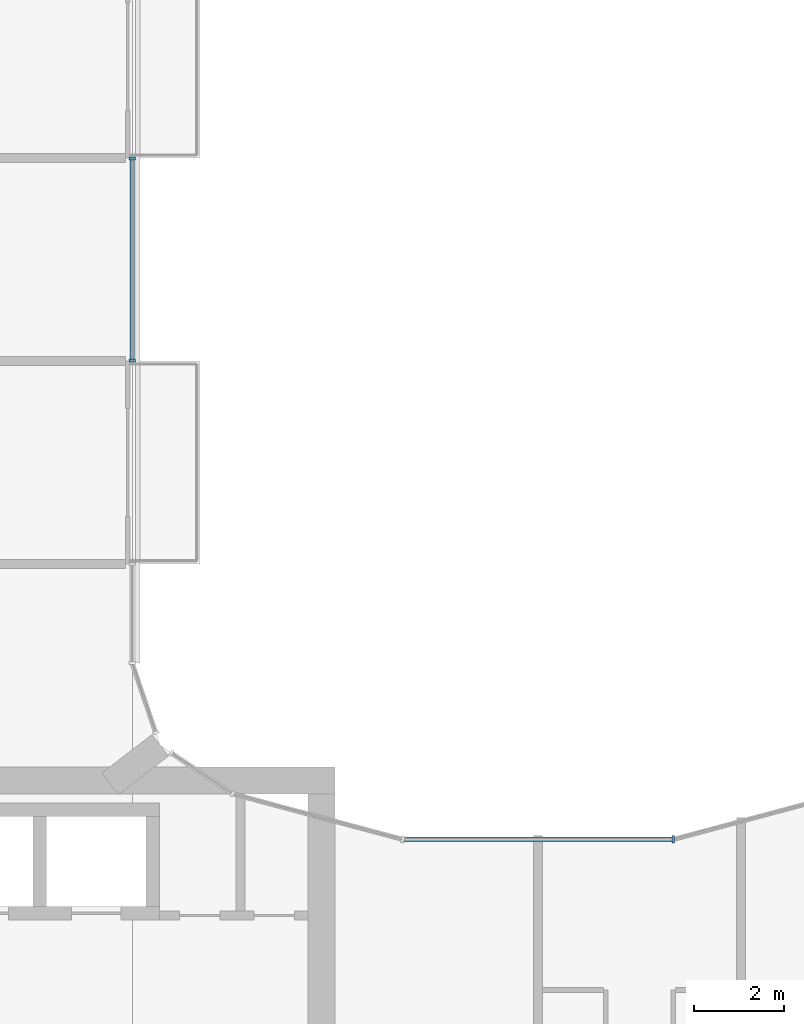
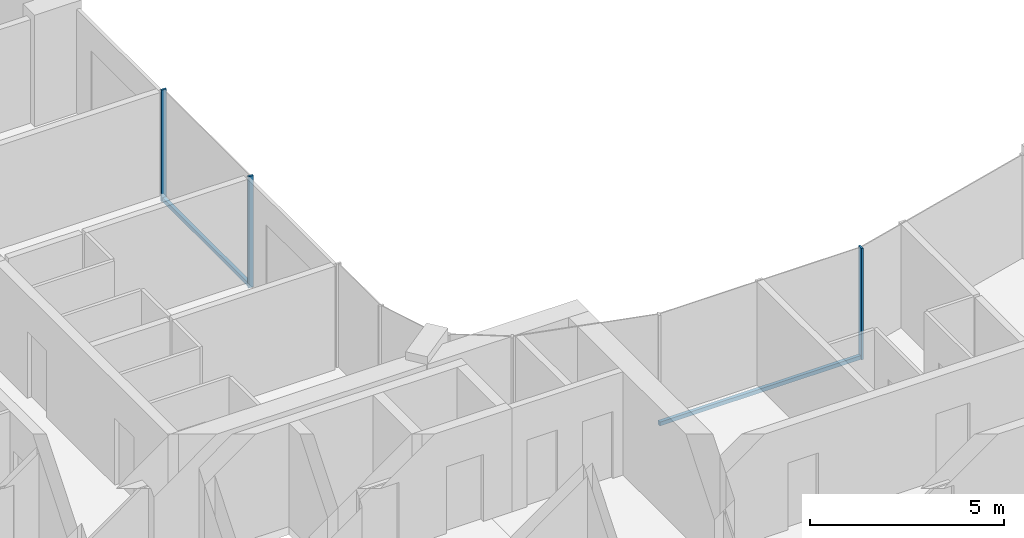
# One storey, part 5 of 15: 5 members, 2 elements without a shape of their own.
"""IFC4 building model written with IfcOpenShell, lengths in metres."""

import ifcopenshell
import ifcopenshell.guid

model = None  # the IFC model being written
_history = None  # IfcOwnerHistory: only IFC2X3 demands one
_inside = {}  # id of a spatial element -> (the spatial element, [elements in it])
_under = {}  # id of a project, library or spatial element -> (it, [spatial elements below it])
_declared = {}  # id of a project -> (the project, [libraries it declares])
_typed = {}  # id of a type object -> (the type object, [elements of that type])
_made_of = {}  # id of a material, layer set ... -> (it, [elements and type objects made of it])


def new_model(schema):
    """Start an empty IFC model of exactly this schema.

    Asked for "IFC4X3", IfcOpenShell would pick the latest addendum, in which some entities
    have other attributes; the version numbers below select the first issue.
    IFC2X3 requires an IfcOwnerHistory on every rooted entity: one is made here for all.
    """
    global model, _history
    if schema == "IFC4X3":
        model = ifcopenshell.file(schema_version=(4, 3, 0, 0))
    else:
        model = ifcopenshell.file(schema=schema)
    _inside.clear()
    _under.clear()
    _declared.clear()
    _typed.clear()
    _made_of.clear()
    _history = None
    if model.schema == "IFC2X3":
        org = make("IfcOrganization", Name="unknown")
        user = make(
            "IfcPersonAndOrganization",
            ThePerson=make("IfcPerson", FamilyName="unknown"),
            TheOrganization=org,
        )
        app = make(
            "IfcApplication",
            ApplicationDeveloper=org,
            Version="unknown",
            ApplicationFullName="unknown",
            ApplicationIdentifier="unknown",
        )
        _history = make(
            "IfcOwnerHistory",
            OwningUser=user,
            OwningApplication=app,
            ChangeAction="ADDED",
            CreationDate=0,
        )
    return model


def make(cls, **values):
    """One entity of the class cls with the attributes given. An attribute that is None is left unset."""
    return model.create_entity(
        cls, **{name: value for name, value in values.items() if value is not None}
    )


def rooted(cls, **values):
    """An entity with a GlobalId (a new one), such as an element, a storey or a relation."""
    return make(cls, GlobalId=ifcopenshell.guid.new(), OwnerHistory=_history, **values)


def si_unit(unit_type, name, prefix=None):
    """IfcSIUnit, for example si_unit("LENGTHUNIT", "METRE", prefix="MILLI")."""
    return make("IfcSIUnit", UnitType=unit_type, Prefix=prefix, Name=name)


def assignment(units):
    """IfcUnitAssignment: the units of a project."""
    return None if units is None else make("IfcUnitAssignment", Units=units)


def point(xyz):
    """IfcCartesianPoint."""
    return None if xyz is None else make("IfcCartesianPoint", Coordinates=xyz)


def direction(xyz):
    """IfcDirection."""
    return None if xyz is None else make("IfcDirection", DirectionRatios=xyz)


def frame(location, z_axis=None, x_axis=None):
    """IfcAxis2Placement3D, a coordinate frame: its origin and axes. An axis left out is left unset."""
    return make(
        "IfcAxis2Placement3D",
        Location=point(location),
        Axis=direction(z_axis),
        RefDirection=direction(x_axis),
    )


def frame_2d(location, x_axis=None):
    """IfcAxis2Placement2D, a coordinate frame in the plane: its origin and x axis."""
    return make(
        "IfcAxis2Placement2D", Location=point(location), RefDirection=direction(x_axis)
    )


def origin():
    """The frame at (0, 0, 0) with its axes left unset."""
    return frame((0.0, 0.0, 0.0))


def origin_2d():
    """The frame at (0, 0) in the plane with its x axis left unset."""
    return frame_2d((0.0, 0.0))


def place(relative_to, where):
    """IfcLocalPlacement: puts the frame where relative to a parent placement (None: the world)."""
    return make(
        "IfcLocalPlacement", PlacementRelTo=relative_to, RelativePlacement=where
    )


def context(
    kind, dimensions, precision=None, world=None, true_north=None, identifier=None
):
    """IfcGeometricRepresentationContext, for example the 3D "Model" context."""
    return make(
        "IfcGeometricRepresentationContext",
        ContextIdentifier=identifier,
        ContextType=kind,
        CoordinateSpaceDimension=dimensions,
        Precision=precision,
        WorldCoordinateSystem=world,
        TrueNorth=true_north,
    )


def subcontext(parent, identifier, kind, view, scale=None):
    """IfcGeometricRepresentationSubContext, for example "Body" below "Model"."""
    return make(
        "IfcGeometricRepresentationSubContext",
        ContextIdentifier=identifier,
        ContextType=kind,
        ParentContext=parent,
        TargetScale=scale,
        TargetView=view,
    )


def project(units=None, contexts=None):
    """IfcProject with its units and contexts."""
    return rooted(
        "IfcProject",
        Name="project",
        RepresentationContexts=contexts,
        UnitsInContext=assignment(units),
    )


def spatial(cls, under=None, at=None, **own):
    """A site, building, storey or space (cls), placed at a placement, below another one or the project."""
    s = rooted(cls, ObjectPlacement=at, **own)
    if under is not None:
        _under.setdefault(under.id(), (under, []))[1].append(s)
    return s


def profile(cls, at=None, kind="AREA", **sizes):
    """A parametric profile (cls). Its sizes go by their IFC names, for example OverallWidth=200.0."""
    return make(cls, ProfileType=kind, Position=at, **sizes)


def rectangle(**sizes):
    """IfcRectangleProfileDef."""
    return profile("IfcRectangleProfileDef", **sizes)


def extrude(swept, where, along, depth):
    """IfcExtrudedAreaSolid: the profile swept, set in the frame where, extruded along a direction by depth."""
    return make(
        "IfcExtrudedAreaSolid",
        SweptArea=swept,
        Position=where,
        ExtrudedDirection=direction(along),
        Depth=depth,
    )


def shape(context_of_items, identifier, shape_type, items):
    """IfcShapeRepresentation: the items that make up one representation, for example the "Body"."""
    return make(
        "IfcShapeRepresentation",
        ContextOfItems=context_of_items,
        RepresentationIdentifier=identifier,
        RepresentationType=shape_type,
        Items=items,
    )


def material(Name=None, Category=None):
    """IfcMaterial."""
    return make("IfcMaterial", Name=Name, Category=Category)


def layer(
    of_material, thickness, ventilated=None, Name=None, Category=None, Priority=None
):
    """IfcMaterialLayer: one layer of a wall or slab, of a material (None: an air gap)."""
    return make(
        "IfcMaterialLayer",
        Material=of_material,
        LayerThickness=thickness,
        IsVentilated=ventilated,
        Name=Name,
        Category=Category,
        Priority=Priority,
    )


def layer_set(layers, Name=None):
    """IfcMaterialLayerSet."""
    return make("IfcMaterialLayerSet", MaterialLayers=layers, LayerSetName=Name)


def material_profile(
    of_material, cross_section, Name=None, Category=None, Priority=None
):
    """IfcMaterialProfile: a cross section and its material."""
    return make(
        "IfcMaterialProfile",
        Name=Name,
        Material=of_material,
        Profile=cross_section,
        Priority=Priority,
        Category=Category,
    )


def profile_set(profiles, Name=None, composite=None):
    """IfcMaterialProfileSet."""
    return make(
        "IfcMaterialProfileSet",
        Name=Name,
        MaterialProfiles=profiles,
        CompositeProfile=composite,
    )


def made_of(thing, what):
    """Note that an element or type object is made of a material, layer set ...; save() writes the relation."""
    if what is not None:
        _made_of.setdefault(what.id(), (what, []))[1].append(thing)
    return thing


def type_object(cls, material=None, **own):
    """A type object (cls), such as IfcWallType, which elements share."""
    return made_of(rooted(cls, **own), material)


def element(
    cls,
    number,
    at=None,
    inside=None,
    cuts=None,
    type_object=None,
    material=None,
    context=None,
    identifier="Body",
    shape_type=None,
    held_by="IfcProductDefinitionShape",
    body=None,
    shapes=None,
    **own,
):
    """One element of the class cls, such as IfcWall. Its Tag is "e" and its number.

    at: its placement. inside: the storey or other place that contains it. cuts: it is an
    opening in that element (IfcRelVoidsElement). A single representation is given by context,
    identifier, shape_type and body (its items); several are given by shapes. held_by: the class
    of the entity that holds the representations. save() writes the other relations.
    """
    e = rooted(cls, Tag="e%d" % number, ObjectPlacement=at, **own)
    if body is not None:
        shapes = [shape(context, identifier, shape_type, body)]
    if shapes is not None:
        e.Representation = make(held_by, Representations=shapes)
    if inside is not None:
        _inside.setdefault(inside.id(), (inside, []))[1].append(e)
    if cuts is not None:
        rooted(
            "IfcRelVoidsElement", RelatingBuildingElement=cuts, RelatedOpeningElement=e
        )
    if type_object is not None:
        _typed.setdefault(type_object.id(), (type_object, []))[1].append(e)
    return made_of(e, material)


def aggregate(whole, parts):
    """IfcRelAggregates: a whole, such as a stair, and the parts it consists of."""
    return rooted("IfcRelAggregates", RelatingObject=whole, RelatedObjects=parts)


def save(model, path):
    """Write the relations noted so far, then the file.

    IfcRelAggregates (storeys below a building ...), IfcRelContainedInSpatialStructure (elements
    in a storey), IfcRelDefinesByType, IfcRelAssociatesMaterial and IfcRelDeclares: one each for
    every whole, place, type object, material and project.
    """
    for whole, parts in _under.values():
        aggregate(whole, parts)
    for where, things in _inside.values():
        rooted(
            "IfcRelContainedInSpatialStructure",
            RelatedElements=things,
            RelatingStructure=where,
        )
    for kind, things in _typed.values():
        rooted("IfcRelDefinesByType", RelatedObjects=things, RelatingType=kind)
    for what, things in _made_of.values():
        rooted("IfcRelAssociatesMaterial", RelatedObjects=things, RelatingMaterial=what)
    for by, libraries in _declared.values():
        rooted("IfcRelDeclares", RelatingContext=by, RelatedDefinitions=libraries)
    model.write(path)


model = new_model("IFC4")

# Units and contexts
model_context = context("Model", 3, precision=1e-05, world=origin(), true_north=direction((0.0, 1.0)))
body_context = subcontext(model_context, "Body", "Model", "MODEL_VIEW")
ifc_project = project(units=[si_unit("LENGTHUNIT", "METRE"), si_unit("AREAUNIT", "SQUARE_METRE"), si_unit("VOLUMEUNIT", "CUBIC_METRE"), si_unit("PLANEANGLEUNIT", "RADIAN"), si_unit("MASSUNIT", "GRAM", prefix="KILO")], contexts=[model_context])

# Site, building, storey
site_placement = place(None, origin())
site = spatial("IfcSite", under=ifc_project, at=site_placement, CompositionType="ELEMENT")
building_placement = place(site_placement, origin())
building = spatial("IfcBuilding", under=site, at=building_placement, Name="Plateau Cross Towers", CompositionType="ELEMENT")
storey_placement = place(building_placement, frame((0.0, 0.0, 174.39990234375)))
storey = spatial("IfcBuildingStorey", under=building, at=storey_placement, Name="L45", CompositionType="ELEMENT", Elevation=174.39990234375)

# Curtain wall, members
ifc_material_1 = material(Name="Dark low-iron glass", Category="glass")
ifc_layer_1 = layer(ifc_material_1, 0.239990234375)
ifc_layer_set_1 = layer_set([ifc_layer_1], Name="Dark low-iron glass")
curtain_wall_type_1 = type_object("IfcCurtainWallType", Name="Curtain wall flush unitised CW-B", PredefinedType="NOTDEFINED", material=ifc_layer_set_1)
curtain_wall_1_placement = place(storey_placement, origin())
curtain_wall_1 = element("IfcCurtainWall", 1, at=curtain_wall_1_placement, inside=storey, type_object=curtain_wall_type_1, Name="ENV/A/L45/A180_270", PredefinedType="NOTDEFINED")
ifc_material_2 = material(Name="Black anodised aluminium", Category="aluminium")
ifc_material_profile_1 = material_profile(ifc_material_2, rectangle(XDim=0.06005859375, YDim=0.139892578125, at=origin_2d()), Name="MULLION 60x140")
ifc_profile_set_1 = profile_set([ifc_material_profile_1], Name="Black anodised aluminium")
member_type_1 = type_object("IfcMemberType", Name="Mullion 60x140 flush unitised", PredefinedType="MULLION", material=ifc_profile_set_1)
member_1_placement = place(storey_placement, frame((18.0, 27.010009765625, -0.25), z_axis=(0.0, 0.0, 1.0), x_axis=(0.0, 1.0, 0.0)))
member_1 = element("IfcMember", 2, at=member_1_placement, type_object=member_type_1, Name="CW-B mullion 1", PredefinedType="MULLION", context=body_context, shape_type="SweptSolid", body=[
    extrude(rectangle(XDim=0.06005859375, YDim=0.139892578125, at=origin_2d()), origin(), (0.0, 0.0, 1.0), 3.5),
])
member_2_placement = place(storey_placement, frame((18.0, 31.489990234375, -0.25), z_axis=(0.0, 0.0, 1.0), x_axis=(0.0, 1.0, 0.0)))
member_2 = element("IfcMember", 3, at=member_2_placement, type_object=member_type_1, Name="CW-B mullion 2", PredefinedType="MULLION", context=body_context, shape_type="SweptSolid", body=[
    extrude(rectangle(XDim=0.06005859375, YDim=0.139892578125, at=origin_2d()), origin(), (0.0, 0.0, 1.0), 3.5),
])

# Curtain wall, member
ifc_layer_2 = layer(ifc_material_1, 0.260009765625)
ifc_layer_set_2 = layer_set([ifc_layer_2], Name="Dark low-iron glass")
curtain_wall_type_2 = type_object("IfcCurtainWallType", Name="Curtain wall fluted unitised CW-A", PredefinedType="NOTDEFINED", material=ifc_layer_set_2)
curtain_wall_2_placement = place(storey_placement, origin())
curtain_wall_2 = element("IfcCurtainWall", 4, at=curtain_wall_2_placement, inside=storey, type_object=curtain_wall_type_2, Name="ENV/A/L45/A300_164", PredefinedType="NOTDEFINED")
ifc_material_profile_2 = material_profile(ifc_material_2, rectangle(XDim=0.06005859375, YDim=0.159912109375, at=origin_2d()), Name="MULLION 60x160")
ifc_profile_set_2 = profile_set([ifc_material_profile_2], Name="Black anodised aluminium")
member_type_2 = type_object("IfcMemberType", Name="Mullion 60x160 fluted unitised", PredefinedType="MULLION", material=ifc_profile_set_2)
member_3_placement = place(storey_placement, frame((30.0, 16.39306640625, -0.25), z_axis=(0.0, 0.0, 1.0), x_axis=(-1.0, 0.0, 0.0)))
member_3 = element("IfcMember", 5, at=member_3_placement, type_object=member_type_2, Name="CW-A mullion 1", PredefinedType="MULLION", context=body_context, shape_type="SweptSolid", body=[
    extrude(rectangle(XDim=0.06005859375, YDim=0.159912109375, at=origin_2d()), origin(), (0.0, 0.0, 1.0), 3.5),
])

# Member
ifc_material_profile_3 = material_profile(ifc_material_2, rectangle(XDim=0.10009765625, YDim=0.1201171875, at=origin_2d()), Name="TRANSOM 100x120")
ifc_profile_set_3 = profile_set([ifc_material_profile_3], Name="Black anodised aluminium")
member_type_3 = type_object("IfcMemberType", Name="Transom 100x120 flush unitised", PredefinedType="USERDEFINED", material=ifc_profile_set_3)
member_4_placement = place(storey_placement, frame((18.0, 27.010009765625, -0.18994140625), z_axis=(0.0, 1.0, 0.0), x_axis=(-1.0, 0.0, 0.0)))
member_4 = element("IfcMember", 6, at=member_4_placement, type_object=member_type_3, Name="CW-B transom", ObjectType="TRANSOM", PredefinedType="USERDEFINED", context=body_context, shape_type="SweptSolid", body=[
    extrude(rectangle(XDim=0.10009765625, YDim=0.1201171875, at=origin_2d()), origin(), (0.0, 0.0, 1.0), 4.47998046875),
])

aggregate(curtain_wall_1, [member_1, member_2, member_4])

ifc_material_profile_4 = material_profile(ifc_material_2, rectangle(XDim=0.10009765625, YDim=0.1201171875, at=origin_2d()), Name="TRANSOM 100x120")
ifc_profile_set_4 = profile_set([ifc_material_profile_4], Name="Black anodised aluminium")
member_type_4 = type_object("IfcMemberType", Name="Transom 100x120 fluted unitised", PredefinedType="USERDEFINED", material=ifc_profile_set_4)
member_5_placement = place(storey_placement, frame((30.0, 16.39306640625, -0.18994140625), z_axis=(-1.0, 0.0, 0.0), x_axis=(0.0, -1.0, 0.0)))
member_5 = element("IfcMember", 7, at=member_5_placement, type_object=member_type_4, Name="CW-A transom", ObjectType="TRANSOM", PredefinedType="USERDEFINED", context=body_context, shape_type="SweptSolid", body=[
    extrude(rectangle(XDim=0.10009765625, YDim=0.1201171875, at=origin_2d()), origin(), (0.0, 0.0, 1.0), 6.0),
])

aggregate(curtain_wall_2, [member_3, member_5])

save(model, "model.ifc")
